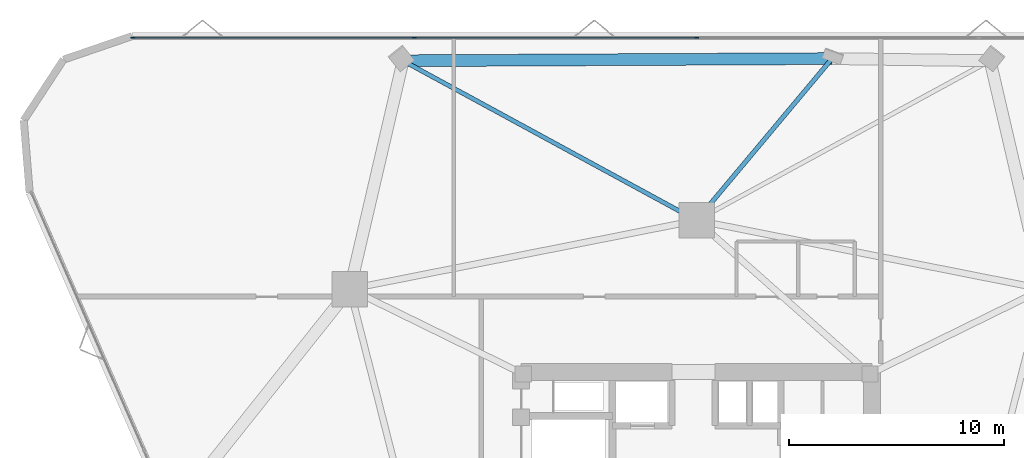
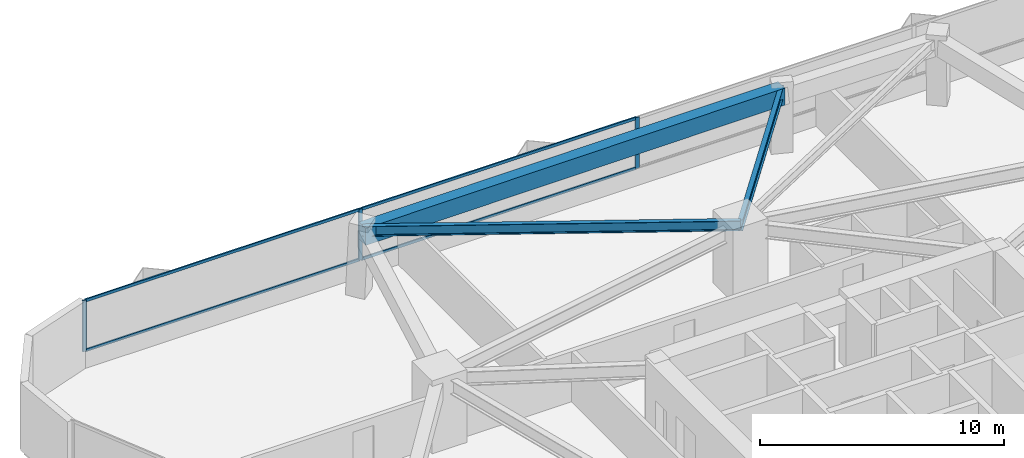
# One storey, part 10 of 18: 7 members, 3 beams, 1 element without a shape of its own.
"""IFC4 building model written with IfcOpenShell, lengths in metres."""

import ifcopenshell
import ifcopenshell.guid

model = None  # the IFC model being written
_history = None  # IfcOwnerHistory: only IFC2X3 demands one
_inside = {}  # id of a spatial element -> (the spatial element, [elements in it])
_under = {}  # id of a project, library or spatial element -> (it, [spatial elements below it])
_declared = {}  # id of a project -> (the project, [libraries it declares])
_typed = {}  # id of a type object -> (the type object, [elements of that type])
_made_of = {}  # id of a material, layer set ... -> (it, [elements and type objects made of it])


def new_model(schema):
    """Start an empty IFC model of exactly this schema.

    Asked for "IFC4X3", IfcOpenShell would pick the latest addendum, in which some entities
    have other attributes; the version numbers below select the first issue.
    IFC2X3 requires an IfcOwnerHistory on every rooted entity: one is made here for all.
    """
    global model, _history
    if schema == "IFC4X3":
        model = ifcopenshell.file(schema_version=(4, 3, 0, 0))
    else:
        model = ifcopenshell.file(schema=schema)
    _inside.clear()
    _under.clear()
    _declared.clear()
    _typed.clear()
    _made_of.clear()
    _history = None
    if model.schema == "IFC2X3":
        org = make("IfcOrganization", Name="unknown")
        user = make(
            "IfcPersonAndOrganization",
            ThePerson=make("IfcPerson", FamilyName="unknown"),
            TheOrganization=org,
        )
        app = make(
            "IfcApplication",
            ApplicationDeveloper=org,
            Version="unknown",
            ApplicationFullName="unknown",
            ApplicationIdentifier="unknown",
        )
        _history = make(
            "IfcOwnerHistory",
            OwningUser=user,
            OwningApplication=app,
            ChangeAction="ADDED",
            CreationDate=0,
        )
    return model


def make(cls, **values):
    """One entity of the class cls with the attributes given. An attribute that is None is left unset."""
    return model.create_entity(
        cls, **{name: value for name, value in values.items() if value is not None}
    )


def rooted(cls, **values):
    """An entity with a GlobalId (a new one), such as an element, a storey or a relation."""
    return make(cls, GlobalId=ifcopenshell.guid.new(), OwnerHistory=_history, **values)


def si_unit(unit_type, name, prefix=None):
    """IfcSIUnit, for example si_unit("LENGTHUNIT", "METRE", prefix="MILLI")."""
    return make("IfcSIUnit", UnitType=unit_type, Prefix=prefix, Name=name)


def assignment(units):
    """IfcUnitAssignment: the units of a project."""
    return None if units is None else make("IfcUnitAssignment", Units=units)


def point(xyz):
    """IfcCartesianPoint."""
    return None if xyz is None else make("IfcCartesianPoint", Coordinates=xyz)


def direction(xyz):
    """IfcDirection."""
    return None if xyz is None else make("IfcDirection", DirectionRatios=xyz)


def frame(location, z_axis=None, x_axis=None):
    """IfcAxis2Placement3D, a coordinate frame: its origin and axes. An axis left out is left unset."""
    return make(
        "IfcAxis2Placement3D",
        Location=point(location),
        Axis=direction(z_axis),
        RefDirection=direction(x_axis),
    )


def frame_2d(location, x_axis=None):
    """IfcAxis2Placement2D, a coordinate frame in the plane: its origin and x axis."""
    return make(
        "IfcAxis2Placement2D", Location=point(location), RefDirection=direction(x_axis)
    )


def origin():
    """The frame at (0, 0, 0) with its axes left unset."""
    return frame((0.0, 0.0, 0.0))


def origin_2d():
    """The frame at (0, 0) in the plane with its x axis left unset."""
    return frame_2d((0.0, 0.0))


def place(relative_to, where):
    """IfcLocalPlacement: puts the frame where relative to a parent placement (None: the world)."""
    return make(
        "IfcLocalPlacement", PlacementRelTo=relative_to, RelativePlacement=where
    )


def context(
    kind, dimensions, precision=None, world=None, true_north=None, identifier=None
):
    """IfcGeometricRepresentationContext, for example the 3D "Model" context."""
    return make(
        "IfcGeometricRepresentationContext",
        ContextIdentifier=identifier,
        ContextType=kind,
        CoordinateSpaceDimension=dimensions,
        Precision=precision,
        WorldCoordinateSystem=world,
        TrueNorth=true_north,
    )


def subcontext(parent, identifier, kind, view, scale=None):
    """IfcGeometricRepresentationSubContext, for example "Body" below "Model"."""
    return make(
        "IfcGeometricRepresentationSubContext",
        ContextIdentifier=identifier,
        ContextType=kind,
        ParentContext=parent,
        TargetScale=scale,
        TargetView=view,
    )


def project(units=None, contexts=None):
    """IfcProject with its units and contexts."""
    return rooted(
        "IfcProject",
        Name="project",
        RepresentationContexts=contexts,
        UnitsInContext=assignment(units),
    )


def spatial(cls, under=None, at=None, **own):
    """A site, building, storey or space (cls), placed at a placement, below another one or the project."""
    s = rooted(cls, ObjectPlacement=at, **own)
    if under is not None:
        _under.setdefault(under.id(), (under, []))[1].append(s)
    return s


def profile(cls, at=None, kind="AREA", **sizes):
    """A parametric profile (cls). Its sizes go by their IFC names, for example OverallWidth=200.0."""
    return make(cls, ProfileType=kind, Position=at, **sizes)


def rectangle(**sizes):
    """IfcRectangleProfileDef."""
    return profile("IfcRectangleProfileDef", **sizes)


def i_section(**sizes):
    """IfcIShapeProfileDef."""
    return profile("IfcIShapeProfileDef", **sizes)


def extrude(swept, where, along, depth):
    """IfcExtrudedAreaSolid: the profile swept, set in the frame where, extruded along a direction by depth."""
    return make(
        "IfcExtrudedAreaSolid",
        SweptArea=swept,
        Position=where,
        ExtrudedDirection=direction(along),
        Depth=depth,
    )


def shape(context_of_items, identifier, shape_type, items):
    """IfcShapeRepresentation: the items that make up one representation, for example the "Body"."""
    return make(
        "IfcShapeRepresentation",
        ContextOfItems=context_of_items,
        RepresentationIdentifier=identifier,
        RepresentationType=shape_type,
        Items=items,
    )


def material(Name=None, Category=None):
    """IfcMaterial."""
    return make("IfcMaterial", Name=Name, Category=Category)


def layer(
    of_material, thickness, ventilated=None, Name=None, Category=None, Priority=None
):
    """IfcMaterialLayer: one layer of a wall or slab, of a material (None: an air gap)."""
    return make(
        "IfcMaterialLayer",
        Material=of_material,
        LayerThickness=thickness,
        IsVentilated=ventilated,
        Name=Name,
        Category=Category,
        Priority=Priority,
    )


def layer_set(layers, Name=None):
    """IfcMaterialLayerSet."""
    return make("IfcMaterialLayerSet", MaterialLayers=layers, LayerSetName=Name)


def material_profile(
    of_material, cross_section, Name=None, Category=None, Priority=None
):
    """IfcMaterialProfile: a cross section and its material."""
    return make(
        "IfcMaterialProfile",
        Name=Name,
        Material=of_material,
        Profile=cross_section,
        Priority=Priority,
        Category=Category,
    )


def profile_set(profiles, Name=None, composite=None):
    """IfcMaterialProfileSet."""
    return make(
        "IfcMaterialProfileSet",
        Name=Name,
        MaterialProfiles=profiles,
        CompositeProfile=composite,
    )


def made_of(thing, what):
    """Note that an element or type object is made of a material, layer set ...; save() writes the relation."""
    if what is not None:
        _made_of.setdefault(what.id(), (what, []))[1].append(thing)
    return thing


def type_object(cls, material=None, **own):
    """A type object (cls), such as IfcWallType, which elements share."""
    return made_of(rooted(cls, **own), material)


def element(
    cls,
    number,
    at=None,
    inside=None,
    cuts=None,
    type_object=None,
    material=None,
    context=None,
    identifier="Body",
    shape_type=None,
    held_by="IfcProductDefinitionShape",
    body=None,
    shapes=None,
    **own,
):
    """One element of the class cls, such as IfcWall. Its Tag is "e" and its number.

    at: its placement. inside: the storey or other place that contains it. cuts: it is an
    opening in that element (IfcRelVoidsElement). A single representation is given by context,
    identifier, shape_type and body (its items); several are given by shapes. held_by: the class
    of the entity that holds the representations. save() writes the other relations.
    """
    e = rooted(cls, Tag="e%d" % number, ObjectPlacement=at, **own)
    if body is not None:
        shapes = [shape(context, identifier, shape_type, body)]
    if shapes is not None:
        e.Representation = make(held_by, Representations=shapes)
    if inside is not None:
        _inside.setdefault(inside.id(), (inside, []))[1].append(e)
    if cuts is not None:
        rooted(
            "IfcRelVoidsElement", RelatingBuildingElement=cuts, RelatedOpeningElement=e
        )
    if type_object is not None:
        _typed.setdefault(type_object.id(), (type_object, []))[1].append(e)
    return made_of(e, material)


def aggregate(whole, parts):
    """IfcRelAggregates: a whole, such as a stair, and the parts it consists of."""
    return rooted("IfcRelAggregates", RelatingObject=whole, RelatedObjects=parts)


def save(model, path):
    """Write the relations noted so far, then the file.

    IfcRelAggregates (storeys below a building ...), IfcRelContainedInSpatialStructure (elements
    in a storey), IfcRelDefinesByType, IfcRelAssociatesMaterial and IfcRelDeclares: one each for
    every whole, place, type object, material and project.
    """
    for whole, parts in _under.values():
        aggregate(whole, parts)
    for where, things in _inside.values():
        rooted(
            "IfcRelContainedInSpatialStructure",
            RelatedElements=things,
            RelatingStructure=where,
        )
    for kind, things in _typed.values():
        rooted("IfcRelDefinesByType", RelatedObjects=things, RelatingType=kind)
    for what, things in _made_of.values():
        rooted("IfcRelAssociatesMaterial", RelatedObjects=things, RelatingMaterial=what)
    for by, libraries in _declared.values():
        rooted("IfcRelDeclares", RelatingContext=by, RelatedDefinitions=libraries)
    model.write(path)


model = new_model("IFC4")

# Units and contexts
model_context = context("Model", 3, precision=1e-05, world=origin(), true_north=direction((0.0, 1.0)))
body_context = subcontext(model_context, "Body", "Model", "MODEL_VIEW")
ifc_project = project(units=[si_unit("LENGTHUNIT", "METRE"), si_unit("AREAUNIT", "SQUARE_METRE"), si_unit("VOLUMEUNIT", "CUBIC_METRE"), si_unit("PLANEANGLEUNIT", "RADIAN"), si_unit("MASSUNIT", "GRAM", prefix="KILO")], contexts=[model_context])

# Site, building, storey
site_placement = place(None, origin())
site = spatial("IfcSite", under=ifc_project, at=site_placement, CompositionType="ELEMENT")
building_placement = place(site_placement, origin())
building = spatial("IfcBuilding", under=site, at=building_placement, Name="Talyreon Biosciences Tower", CompositionType="ELEMENT")
storey_placement = place(building_placement, frame((0.0, 0.0, 89.60009765625)))
storey = spatial("IfcBuildingStorey", under=building, at=storey_placement, Name="L23", CompositionType="ELEMENT", Elevation=89.60009765625)

# Curtain wall, members
ifc_material_1 = material(Name="Thermally broken aluminium and low-E glazing", Category="aluminium")
ifc_layer = layer(ifc_material_1, 0.18994140625)
ifc_layer_set = layer_set([ifc_layer], Name="Thermally broken aluminium and low-E glazing")
curtain_wall_type = type_object("IfcCurtainWallType", Name="CurtainWall_Zone2Genomics", PredefinedType="NOTDEFINED", material=ifc_layer_set)
curtain_wall_placement = place(storey_placement, origin())
curtain_wall = element("IfcCurtainWall", 1, at=curtain_wall_placement, inside=storey, type_object=curtain_wall_type, Name="L23 Unitised Curtain Wall FCW-L23-04", PredefinedType="NOTDEFINED")
ifc_material_2 = material(Name="Anodised thermally broken aluminium", Category="aluminium")
ifc_material_profile_1 = material_profile(ifc_material_2, rectangle(XDim=0.06494140625, YDim=0.179931640625, at=origin_2d()), Name="ALUM MULLION 65x180")
ifc_profile_set_1 = profile_set([ifc_material_profile_1], Name="Anodised thermally broken aluminium")
member_type_1 = type_object("IfcMemberType", Name="CWMullion_65x180", PredefinedType="MULLION", material=ifc_profile_set_1)
member_1_placement = place(storey_placement, frame((39.813232421875, 90.2734375, 0.809814453125), z_axis=(0.0, 0.0, 1.0), x_axis=(0.0, 1.0, 0.0)))
member_1 = element("IfcMember", 2, at=member_1_placement, type_object=member_type_1, Name="CW3 mullion 1", PredefinedType="MULLION", context=body_context, shape_type="SweptSolid", body=[
    extrude(rectangle(XDim=0.06494140625, YDim=0.179931640625, at=origin_2d()), origin(), (0.0, 0.0, 1.0), 2.565185546875),
])
member_2_placement = place(storey_placement, frame((52.890380859375, 90.2734375, 0.809814453125), z_axis=(0.0, 0.0, 1.0), x_axis=(0.0, 1.0, 0.0)))
member_2 = element("IfcMember", 3, at=member_2_placement, type_object=member_type_1, Name="CW3 mullion 2", PredefinedType="MULLION", context=body_context, shape_type="SweptSolid", body=[
    extrude(rectangle(XDim=0.06494140625, YDim=0.179931640625, at=origin_2d()), origin(), (0.0, 0.0, 1.0), 2.565185546875),
])
member_3_placement = place(storey_placement, frame((66.0, 90.2734375, 0.809814453125), z_axis=(0.0, 0.0, 1.0), x_axis=(0.0, 1.0, 0.0)))
member_3 = element("IfcMember", 4, at=member_3_placement, type_object=member_type_1, Name="CW3 mullion 3", PredefinedType="MULLION", context=body_context, shape_type="SweptSolid", body=[
    extrude(rectangle(XDim=0.06494140625, YDim=0.179931640625, at=origin_2d()), origin(), (0.0, 0.0, 1.0), 2.565185546875),
])
ifc_material_profile_2 = material_profile(ifc_material_2, rectangle(XDim=0.06494140625, YDim=0.139892578125, at=origin_2d()), Name="ALUM TRANSOM 65x140")
ifc_profile_set_2 = profile_set([ifc_material_profile_2], Name="Anodised thermally broken aluminium")
member_type_2 = type_object("IfcMemberType", Name="CWTransom_65x140", PredefinedType="USERDEFINED", material=ifc_profile_set_2)
member_4_placement = place(storey_placement, frame((39.845703125, 90.2734375, 0.84228515625), z_axis=(1.0, 0.0, 0.0), x_axis=(0.0, 1.0, 0.0)))
member_4 = element("IfcMember", 5, at=member_4_placement, type_object=member_type_2, Name="CW3 transom 1.1", ObjectType="TRANSOM", PredefinedType="USERDEFINED", context=body_context, shape_type="SweptSolid", body=[
    extrude(rectangle(XDim=0.06494140625, YDim=0.139892578125, at=origin_2d()), origin(), (0.0, 0.0, 1.0), 13.01220703125),
])
member_5_placement = place(storey_placement, frame((39.845703125, 90.2734375, 3.34228515625), z_axis=(1.0, 0.0, 0.0), x_axis=(0.0, 1.0, 0.0)))
member_5 = element("IfcMember", 6, at=member_5_placement, type_object=member_type_2, Name="CW3 transom 1.2", ObjectType="TRANSOM", PredefinedType="USERDEFINED", context=body_context, shape_type="SweptSolid", body=[
    extrude(rectangle(XDim=0.06494140625, YDim=0.139892578125, at=origin_2d()), origin(), (0.0, 0.0, 1.0), 13.01220703125),
])
member_6_placement = place(storey_placement, frame((52.9228515625, 90.2734375, 0.84228515625), z_axis=(1.0, 0.0, 0.0), x_axis=(0.0, 1.0, 0.0)))
member_6 = element("IfcMember", 7, at=member_6_placement, type_object=member_type_2, Name="CW3 transom 2.1", ObjectType="TRANSOM", PredefinedType="USERDEFINED", context=body_context, shape_type="SweptSolid", body=[
    extrude(rectangle(XDim=0.06494140625, YDim=0.139892578125, at=origin_2d()), origin(), (0.0, 0.0, 1.0), 13.044677734375),
])
member_7_placement = place(storey_placement, frame((52.9228515625, 90.2734375, 3.34228515625), z_axis=(1.0, 0.0, 0.0), x_axis=(0.0, 1.0, 0.0)))
member_7 = element("IfcMember", 8, at=member_7_placement, type_object=member_type_2, Name="CW3 transom 2.2", ObjectType="TRANSOM", PredefinedType="USERDEFINED", context=body_context, shape_type="SweptSolid", body=[
    extrude(rectangle(XDim=0.06494140625, YDim=0.139892578125, at=origin_2d()), origin(), (0.0, 0.0, 1.0), 13.044677734375),
])
aggregate(curtain_wall, [member_1, member_2, member_3, member_4, member_5, member_6, member_7])

# Beams
ifc_material_3 = material(Name="Precast concrete C45/55", Category="concrete")
ifc_material_profile_3 = material_profile(ifc_material_3, rectangle(XDim=0.550048828125, YDim=0.85009765625, at=origin_2d()), Name="RCB 550x850")
ifc_profile_set_3 = profile_set([ifc_material_profile_3], Name="Precast concrete C45/55")
beam_type_1 = type_object("IfcBeamType", Name="ExpressedSpandrel_550x850", PredefinedType="SPANDREL", material=ifc_profile_set_3)
beam_1_placement = place(storey_placement, frame((72.29248046875, 89.303466796875, 2.949951171875), z_axis=(-0.999987444734, -0.005011025189, 0.0), x_axis=(0.005011025189, -0.999987444734, 0.0)))
element("IfcBeam", 9, at=beam_1_placement, inside=storey, type_object=beam_type_1, Name="L23 Expressed Horizontal Concrete Spandrel 07", PredefinedType="SPANDREL", context=body_context, shape_type="SweptSolid", body=[
    extrude(rectangle(XDim=0.550048828125, YDim=0.85009765625, at=origin_2d()), origin(), (0.0, 0.0, 1.0), 19.9267578125),
])
ifc_material_4 = material(Name="Steel SM355", Category="steel")
ifc_material_profile_4 = material_profile(ifc_material_4, i_section(OverallWidth=0.199951171875, OverallDepth=0.5, WebThickness=0.01025390625, FlangeThickness=0.01611328125, FilletRadius=0.02099609375, at=origin_2d()), Name="IPE500")
ifc_profile_set_4 = profile_set([ifc_material_profile_4], Name="Steel SM355")
beam_type_2 = type_object("IfcBeamType", Name="SteelJoist_IPE500", PredefinedType="JOIST", material=ifc_profile_set_4)
beam_2_placement = place(storey_placement, frame((66.0, 81.788818359375, 3.125), z_axis=(-0.878489462302, 0.477761723692, 0.0), x_axis=(-0.477761723692, -0.878489462302, 0.0)))
element("IfcBeam", 10, at=beam_2_placement, inside=storey, type_object=beam_type_2, Name="L23 Radial Composite Floor Joist PC-N2", PredefinedType="JOIST", context=body_context, shape_type="SweptSolid", body=[
    extrude(i_section(OverallWidth=0.199951171875, OverallDepth=0.5, WebThickness=0.01025390625, FlangeThickness=0.01611328125, FilletRadius=0.02099609375, at=origin_2d()), origin(), (0.0, 0.0, 1.0), 15.519775390625),
])
ifc_material_profile_5 = material_profile(ifc_material_4, i_section(OverallWidth=0.2099609375, OverallDepth=0.550048828125, WebThickness=0.010986328125, FlangeThickness=0.01708984375, FilletRadius=0.02392578125, at=origin_2d()), Name="IPE550")
ifc_profile_set_5 = profile_set([ifc_material_profile_5], Name="Steel SM355")
beam_type_3 = type_object("IfcBeamType", Name="SteelJoist_IPE550", PredefinedType="JOIST", material=ifc_profile_set_5)
beam_3_placement = place(storey_placement, frame((66.0, 81.788818359375, 3.099853515625), z_axis=(0.642005448747, 0.7667000742, 0.0), x_axis=(-0.7667000742, 0.642005448747, 0.0)))
element("IfcBeam", 11, at=beam_3_placement, inside=storey, type_object=beam_type_3, Name="L23 Radial Composite Floor Joist PL-N", PredefinedType="JOIST", context=body_context, shape_type="SweptSolid", body=[
    extrude(i_section(OverallWidth=0.2099609375, OverallDepth=0.550048828125, WebThickness=0.010986328125, FlangeThickness=0.01708984375, FilletRadius=0.02392578125, at=origin_2d()), origin(), (0.0, 0.0, 1.0), 9.80126953125),
])

save(model, "model.ifc")
